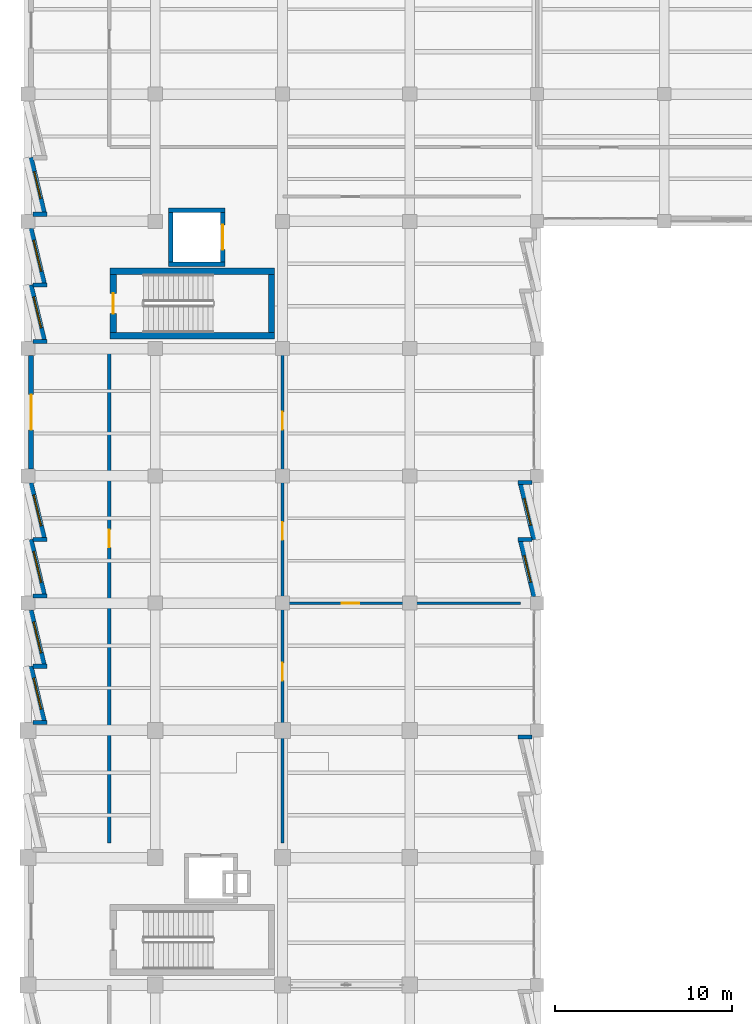
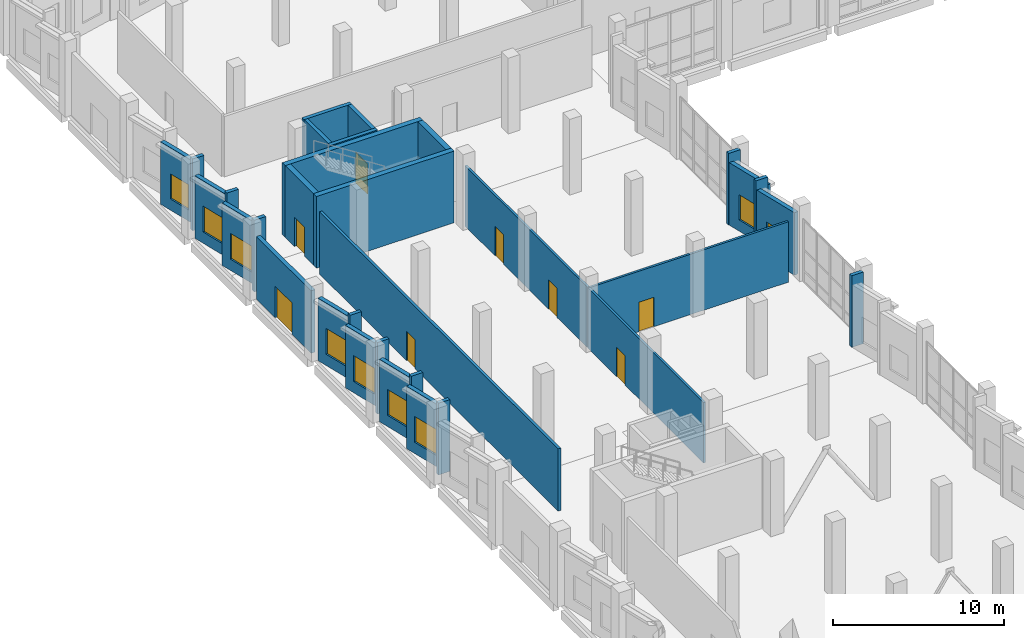
# One storey, part 107 of 137: 32 walls, 9 windows, 8 doors, 17 openings.
"""IFC4 building model written with IfcOpenShell, lengths in metres."""

from ifc_helpers import new_model, si_unit, direction, frame, frame_2d, origin, place, context, subcontext, project, spatial, rectangle, extrude, material, layer, layer_set, type_object, element, fill, save


model = new_model("IFC4")

# Units and contexts
model_context = context("Model", 3, precision=1e-05, world=origin(), true_north=direction((0.0, 1.0)))
body_context = subcontext(model_context, "Body", "Model", "MODEL_VIEW")
ifc_project = project(units=[si_unit("LENGTHUNIT", "METRE"), si_unit("AREAUNIT", "SQUARE_METRE"), si_unit("VOLUMEUNIT", "CUBIC_METRE"), si_unit("PLANEANGLEUNIT", "RADIAN"), si_unit("MASSUNIT", "GRAM", prefix="KILO")], contexts=[model_context])

# Site, building, storey
site_placement = place(None, origin())
site = spatial("IfcSite", under=ifc_project, at=site_placement, CompositionType="ELEMENT")
building_placement = place(site_placement, origin())
building = spatial("IfcBuilding", under=site, at=building_placement, Name="Kalmorath City Hall", CompositionType="ELEMENT")
storey_placement = place(building_placement, origin())
storey = spatial("IfcBuildingStorey", under=building, at=storey_placement, Name="L00", CompositionType="ELEMENT", Elevation=0.0)

# Walls
ifc_material_1 = material(Name="Concrete C50/60", Category="concrete")
ifc_layer_1 = layer(ifc_material_1, 0.35009765625)
ifc_layer_set_1 = layer_set([ifc_layer_1], Name="Concrete C50/60")
wall_type_1 = type_object("IfcWallType", Name="Concrete core shear wall 350", PredefinedType="SHEAR", material=ifc_layer_set_1)
for number, where, z_axis, x_axis, name in (
    (1, (4.64990234375, 87.125, 0.0), (0.0, 0.0, 1.0), (1.0, 0.0, 0.0), "L00 C4 stair core shear wall S"),
    (2, (13.949951171875, 90.77490234375, 0.0), (0.0, 0.0, 1.0), (-1.0, 0.0, 0.0), "L00 C4 stair core shear wall N"),
):
    element("IfcWall", number, at=place(storey_placement, frame(where, z_axis=z_axis, x_axis=x_axis)), inside=storey, type_object=wall_type_1, Name=name, PredefinedType="SHEAR", context=body_context, shape_type="SweptSolid", body=[
        extrude(rectangle(XDim=9.300048828125, YDim=0.35009765625, at=frame_2d((4.64990234375, 0.0))), origin(), (0.0, 0.0, 1.0), 5.1201171875),
    ])

# Wall, opening, door
wall_1_placement = place(storey_placement, frame((4.824951171875, 90.60009765625, 0.0), z_axis=(0.0, 0.0, 1.0), x_axis=(0.0, -1.0, 0.0)))
wall_1 = element("IfcWall", 3, at=wall_1_placement, inside=storey, type_object=wall_type_1, Name="L00 C4 stair core shear wall W", PredefinedType="SHEAR", context=body_context, shape_type="SweptSolid", body=[
    extrude(rectangle(XDim=3.300048828125, YDim=0.35009765625, at=frame_2d((1.64990234375, 0.0))), origin(), (0.0, 0.0, 1.0), 5.1201171875),
])
opening_1_placement = place(wall_1_placement, frame((1.074951171875, 0.0, 0.0)))
opening_1 = element("IfcOpeningElement", 4, at=opening_1_placement, cuts=wall_1, Name="Opening D-L00-080", PredefinedType="OPENING", context=body_context, shape_type="SweptSolid", body=[
    extrude(rectangle(XDim=1.14990234375, YDim=2.10009765625, at=frame_2d((0.574951171875, 1.050048828125))), frame((0.0, 0.18505859375, 0.0), z_axis=(0.0, -1.0, 0.0), x_axis=(1.0, 0.0, 0.0)), (0.0, 0.0, 1.0), 0.3701171875),
])
ifc_material_2 = material(Name="Galvanised steel fire door", Category="steel")
door_type_1 = type_object("IfcDoorType", Name="Stair enclosure 90-min fire door 1150x2100", OperationType="NOTDEFINED", PredefinedType="DOOR", material=ifc_material_2)
door_1_placement = place(opening_1_placement, frame((1.14990234375, 0.0, 0.0), z_axis=(0.0, 0.0, 1.0), x_axis=(-1.0, 0.0, 0.0)))
door_1 = element("IfcDoor", 5, at=door_1_placement, inside=storey, type_object=door_type_1, Name="L00 door D-L00-080", OperationType="SINGLE_SWING_RIGHT", OverallHeight=2.10009765625, OverallWidth=1.14990234375, PredefinedType="DOOR", context=body_context, shape_type="SweptSolid", body=[
    extrude(rectangle(XDim=1.14990234375, YDim=2.10009765625, at=frame_2d((0.574951171875, 1.050048828125))), frame((0.0, 0.02490234375, 0.0), z_axis=(0.0, -1.0, 0.0), x_axis=(1.0, 0.0, 0.0)), (0.0, 0.0, 1.0), 0.050048828125),
])
fill(opening_1, door_1)

# Walls
wall_2_placement = place(storey_placement, frame((13.77490234375, 87.300048828125, 0.0), z_axis=(0.0, 0.0, 1.0), x_axis=(0.0, 1.0, 0.0)))
element("IfcWall", 6, at=wall_2_placement, inside=storey, type_object=wall_type_1, Name="L00 C4 stair core shear wall E", PredefinedType="SHEAR", context=body_context, shape_type="SweptSolid", body=[
    extrude(rectangle(XDim=3.300048828125, YDim=0.35009765625, at=frame_2d((1.64990234375, 0.0))), origin(), (0.0, 0.0, 1.0), 5.1201171875),
])
ifc_material_3 = material(Name="Concrete C50/60", Category="concrete")
ifc_layer_2 = layer(ifc_material_3, 0.25)
ifc_layer_set_2 = layer_set([ifc_layer_2], Name="Concrete C50/60")
wall_type_2 = type_object("IfcWallType", Name="Concrete lift shaft wall 250", PredefinedType="SHEAR", material=ifc_layer_set_2)
for number, where, z_axis, x_axis, name in (
    (7, (7.949951171875, 91.175048828125, 0.0), (0.0, 0.0, 1.0), (1.0, 0.0, 0.0), "L00 SL1 lift shaft wall -y"),
    (8, (11.14990234375, 94.22509765625, 0.0), (0.0, 0.0, 1.0), (-1.0, 0.0, 0.0), "L00 SL1 lift shaft wall +y"),
):
    element("IfcWall", number, at=place(storey_placement, frame(where, z_axis=z_axis, x_axis=x_axis)), inside=storey, type_object=wall_type_2, Name=name, PredefinedType="SHEAR", context=body_context, shape_type="SweptSolid", body=[
        extrude(rectangle(XDim=3.199951171875, YDim=0.25, at=frame_2d((1.60009765625, 0.0))), origin(), (0.0, 0.0, 1.0), 5.1201171875),
    ])
wall_3_placement = place(storey_placement, frame((8.074951171875, 94.10009765625, 0.0), z_axis=(0.0, 0.0, 1.0), x_axis=(0.0, -1.0, 0.0)))
element("IfcWall", 9, at=wall_3_placement, inside=storey, type_object=wall_type_2, Name="L00 SL1 lift shaft wall -x", PredefinedType="SHEAR", context=body_context, shape_type="SweptSolid", body=[
    extrude(rectangle(XDim=2.800048828125, YDim=0.25, at=frame_2d((1.39990234375, 0.0))), origin(), (0.0, 0.0, 1.0), 5.1201171875),
])

# Wall, opening, door
wall_4_placement = place(storey_placement, frame((11.02490234375, 91.300048828125, 0.0), z_axis=(0.0, 0.0, 1.0), x_axis=(0.0, 1.0, 0.0)))
wall_4 = element("IfcWall", 10, at=wall_4_placement, inside=storey, type_object=wall_type_2, Name="L00 SL1 lift shaft wall +x", PredefinedType="SHEAR", context=body_context, shape_type="SweptSolid", body=[
    extrude(rectangle(XDim=2.800048828125, YDim=0.25, at=frame_2d((1.39990234375, 0.0))), origin(), (0.0, 0.0, 1.0), 5.1201171875),
])
opening_2_placement = place(wall_4_placement, frame((0.699951171875, 0.0, 0.0)))
opening_2 = element("IfcOpeningElement", 11, at=opening_2_placement, cuts=wall_4, Name="Opening LD-086", PredefinedType="OPENING", context=body_context, shape_type="SweptSolid", body=[
    extrude(rectangle(XDim=1.39990234375, YDim=2.14990234375, at=frame_2d((0.699951171875, 1.074951171875))), frame((0.0, 0.135009765625, 0.0), z_axis=(0.0, -1.0, 0.0), x_axis=(1.0, 0.0, 0.0)), (0.0, 0.0, 1.0), 0.27001953125),
])
ifc_material_4 = material(Name="Stainless steel sliding landing door", Category="steel")
door_type_2 = type_object("IfcDoorType", Name="Goods lift sliding landing door 1400x2150", OperationType="SLIDING_TO_LEFT", PredefinedType="DOOR", material=ifc_material_4)
door_2_placement = place(opening_2_placement, origin())
door_2 = element("IfcDoor", 12, at=door_2_placement, inside=storey, type_object=door_type_2, Name="L00 door LD-086", OperationType="SLIDING_TO_LEFT", OverallHeight=2.14990234375, OverallWidth=1.39990234375, PredefinedType="DOOR", context=body_context, shape_type="SweptSolid", body=[
    extrude(rectangle(XDim=1.39990234375, YDim=2.14990234375, at=frame_2d((0.699951171875, 1.074951171875))), frame((0.0, 0.02490234375, 0.0), z_axis=(0.0, -1.0, 0.0), x_axis=(1.0, 0.0, 0.0)), (0.0, 0.0, 1.0), 0.050048828125),
])
fill(opening_2, door_2)

ifc_material_5 = material(Name="Acoustic metal-stud gypsum partition")
ifc_layer_3 = layer(ifc_material_5, 0.14990234375)
ifc_layer_set_3 = layer_set([ifc_layer_3], Name="Acoustic metal-stud gypsum partition")
wall_type_3 = type_object("IfcWallType", Name="Departmental suite partition 150", PredefinedType="PARTITIONING", material=ifc_layer_set_3)
wall_5_placement = place(storey_placement, frame((14.39990234375, 58.43994140625, 0.0), z_axis=(0.0, 0.0, 1.0), x_axis=(0.0, 1.0, 0.0)))
wall_5 = element("IfcWall", 13, at=wall_5_placement, inside=storey, type_object=wall_type_3, Name="L00 interior partition PW4 #55", PredefinedType="PARTITIONING", context=body_context, shape_type="SweptSolid", body=[
    extrude(rectangle(XDim=13.52001953125, YDim=0.14990234375, at=frame_2d((6.760009765625, 0.0))), origin(), (0.0, 0.0, 1.0), 4.31103515625),
])
opening_3_placement = place(wall_5_placement, frame((9.179931640625, 0.0, 0.0)))
opening_3 = element("IfcOpeningElement", 14, at=opening_3_placement, cuts=wall_5, Name="Opening D-L00-139", PredefinedType="OPENING", context=body_context, shape_type="SweptSolid", body=[
    extrude(rectangle(XDim=1.0, YDim=2.10009765625, at=frame_2d((0.5, 1.050048828125))), frame((0.0, 0.0849609375, 0.0), z_axis=(0.0, -1.0, 0.0), x_axis=(1.0, 0.0, 0.0)), (0.0, 0.0, 1.0), 0.169921875),
])
ifc_material_6 = material(Name="Hardwood fire door", Category="wood")
door_type_3 = type_object("IfcDoorType", Name="Corridor 60-min fire door 1000x2100", OperationType="NOTDEFINED", PredefinedType="DOOR", material=ifc_material_6)
door_3_placement = place(opening_3_placement, origin())
door_3 = element("IfcDoor", 15, at=door_3_placement, inside=storey, type_object=door_type_3, Name="L00 door D-L00-139", OperationType="SINGLE_SWING_LEFT", OverallHeight=2.10009765625, OverallWidth=1.0, PredefinedType="DOOR", context=body_context, shape_type="SweptSolid", body=[
    extrude(rectangle(XDim=1.0, YDim=2.10009765625, at=frame_2d((0.5, 1.050048828125))), frame((0.0, 0.02490234375, 0.0), z_axis=(0.0, -1.0, 0.0), x_axis=(1.0, 0.0, 0.0)), (0.0, 0.0, 1.0), 0.050048828125),
])
fill(opening_3, door_3)

wall_6_placement = place(storey_placement, frame((14.43994140625, 72.0, 0.0), z_axis=(0.0, 0.0, 1.0), x_axis=(1.0, 0.0, 0.0)))
wall_6 = element("IfcWall", 16, at=wall_6_placement, inside=storey, type_object=wall_type_3, Name="L00 interior partition PW4 #56", PredefinedType="PARTITIONING", context=body_context, shape_type="SweptSolid", body=[
    extrude(rectangle(XDim=13.420166015625, YDim=0.14990234375, at=frame_2d((6.7099609375, 0.0))), origin(), (0.0, 0.0, 1.0), 4.31103515625),
])
opening_4_placement = place(wall_6_placement, frame((3.31494140625, 0.0, 0.0)))
opening_4 = element("IfcOpeningElement", 17, at=opening_4_placement, cuts=wall_6, Name="Opening D-L00-140", PredefinedType="OPENING", context=body_context, shape_type="SweptSolid", body=[
    extrude(rectangle(XDim=1.0, YDim=2.10009765625, at=frame_2d((0.5, 1.050048828125))), frame((0.0, 0.0849609375, 0.0), z_axis=(0.0, -1.0, 0.0), x_axis=(1.0, 0.0, 0.0)), (0.0, 0.0, 1.0), 0.169921875),
])
door_4_placement = place(opening_4_placement, origin())
door_4 = element("IfcDoor", 18, at=door_4_placement, inside=storey, type_object=door_type_3, Name="L00 door D-L00-140", OperationType="SINGLE_SWING_RIGHT", OverallHeight=2.10009765625, OverallWidth=1.0, PredefinedType="DOOR", context=body_context, shape_type="SweptSolid", body=[
    extrude(rectangle(XDim=1.0, YDim=2.10009765625, at=frame_2d((0.5, 1.050048828125))), frame((0.0, 0.02490234375, 0.0), z_axis=(0.0, -1.0, 0.0), x_axis=(1.0, 0.0, 0.0)), (0.0, 0.0, 1.0), 0.050048828125),
])
fill(opening_4, door_4)

# Wall, openings, doors
wall_7_placement = place(storey_placement, frame((14.39990234375, 72.0400390625, 0.0), z_axis=(0.0, 0.0, 1.0), x_axis=(0.0, 1.0, 0.0)))
wall_7 = element("IfcWall", 19, at=wall_7_placement, inside=storey, type_object=wall_type_3, Name="L00 interior partition PW4 #57", PredefinedType="PARTITIONING", context=body_context, shape_type="SweptSolid", body=[
    extrude(rectangle(XDim=14.320068359375, YDim=0.14990234375, at=frame_2d((7.16015625, 0.0))), origin(), (0.0, 0.0, 1.0), 4.31103515625),
])
opening_5_placement = place(wall_7_placement, frame((3.5400390625, 0.0, 0.0)))
opening_5 = element("IfcOpeningElement", 20, at=opening_5_placement, cuts=wall_7, Name="Opening D-L00-142", PredefinedType="OPENING", context=body_context, shape_type="SweptSolid", body=[
    extrude(rectangle(XDim=1.0, YDim=2.10009765625, at=frame_2d((0.5, 1.050048828125))), frame((0.0, 0.0849609375, 0.0), z_axis=(0.0, -1.0, 0.0), x_axis=(1.0, 0.0, 0.0)), (0.0, 0.0, 1.0), 0.169921875),
])
opening_6_placement = place(wall_7_placement, frame((9.780029296875, 0.0, 0.0)))
opening_6 = element("IfcOpeningElement", 21, at=opening_6_placement, cuts=wall_7, Name="Opening D-L00-144", PredefinedType="OPENING", context=body_context, shape_type="SweptSolid", body=[
    extrude(rectangle(XDim=1.0, YDim=2.10009765625, at=frame_2d((0.5, 1.050048828125))), frame((0.0, 0.0849609375, 0.0), z_axis=(0.0, -1.0, 0.0), x_axis=(1.0, 0.0, 0.0)), (0.0, 0.0, 1.0), 0.169921875),
])
door_5_placement = place(opening_5_placement, origin())
door_5 = element("IfcDoor", 22, at=door_5_placement, inside=storey, type_object=door_type_3, Name="L00 door D-L00-142", OperationType="SINGLE_SWING_RIGHT", OverallHeight=2.10009765625, OverallWidth=1.0, PredefinedType="DOOR", context=body_context, shape_type="SweptSolid", body=[
    extrude(rectangle(XDim=1.0, YDim=2.10009765625, at=frame_2d((0.5, 1.050048828125))), frame((0.0, 0.02490234375, 0.0), z_axis=(0.0, -1.0, 0.0), x_axis=(1.0, 0.0, 0.0)), (0.0, 0.0, 1.0), 0.050048828125),
])
fill(opening_5, door_5)
door_6_placement = place(opening_6_placement, origin())
door_6 = element("IfcDoor", 23, at=door_6_placement, inside=storey, type_object=door_type_3, Name="L00 door D-L00-144", OperationType="SINGLE_SWING_RIGHT", OverallHeight=2.10009765625, OverallWidth=1.0, PredefinedType="DOOR", context=body_context, shape_type="SweptSolid", body=[
    extrude(rectangle(XDim=1.0, YDim=2.10009765625, at=frame_2d((0.5, 1.050048828125))), frame((0.0, 0.02490234375, 0.0), z_axis=(0.0, -1.0, 0.0), x_axis=(1.0, 0.0, 0.0)), (0.0, 0.0, 1.0), 0.050048828125),
])
fill(opening_6, door_6)

# Wall, opening, door
ifc_material_7 = material(Name="Fire-rated acoustic gypsum partition")
ifc_layer_4 = layer(ifc_material_7, 0.179931640625)
ifc_layer_set_4 = layer_set([ifc_layer_4], Name="Fire-rated acoustic gypsum partition")
wall_type_4 = type_object("IfcWallType", Name="One-hour corridor fire partition 180", PredefinedType="PARTITIONING", material=ifc_layer_set_4)
wall_8_placement = place(storey_placement, frame((4.60009765625, 58.43994140625, 0.0), z_axis=(0.0, 0.0, 1.0), x_axis=(0.0, 1.0, 0.0)))
wall_8 = element("IfcWall", 24, at=wall_8_placement, inside=storey, type_object=wall_type_4, Name="L00 interior partition PW2 #21", PredefinedType="PARTITIONING", context=body_context, shape_type="SweptSolid", body=[
    extrude(rectangle(XDim=27.920166015625, YDim=0.179931640625, at=frame_2d((13.9599609375, 0.0))), origin(), (0.0, 0.0, 1.0), 4.449951171875),
])
opening_7_placement = place(wall_8_placement, frame((16.719970703125, 0.0, 0.0)))
opening_7 = element("IfcOpeningElement", 25, at=opening_7_placement, cuts=wall_8, Name="Opening D-L00-141", PredefinedType="OPENING", context=body_context, shape_type="SweptSolid", body=[
    extrude(rectangle(XDim=1.0, YDim=2.10009765625, at=frame_2d((0.5, 1.050048828125))), frame((0.0, 0.099853515625, 0.0), z_axis=(0.0, -1.0, 0.0), x_axis=(1.0, 0.0, 0.0)), (0.0, 0.0, 1.0), 0.199951171875),
])
door_7_placement = place(opening_7_placement, origin())
door_7 = element("IfcDoor", 26, at=door_7_placement, inside=storey, type_object=door_type_3, Name="L00 door D-L00-141", OperationType="SINGLE_SWING_LEFT", OverallHeight=2.10009765625, OverallWidth=1.0, PredefinedType="DOOR", context=body_context, shape_type="SweptSolid", body=[
    extrude(rectangle(XDim=1.0, YDim=2.10009765625, at=frame_2d((0.5, 1.050048828125))), frame((0.0, 0.02490234375, 0.0), z_axis=(0.0, -1.0, 0.0), x_axis=(1.0, 0.0, 0.0)), (0.0, 0.0, 1.0), 0.050048828125),
])
fill(opening_7, door_7)

# Walls
ifc_material_8 = material(Name="Precast concrete C40/50", Category="concrete")
ifc_layer_5 = layer(ifc_material_8, 0.239990234375)
ifc_layer_set_5 = layer_set([ifc_layer_5], Name="Precast concrete C40/50")
wall_type_5 = type_object("IfcWallType", Name="Precast sawtooth cheek wall 240", PredefinedType="SOLIDWALL", material=ifc_layer_set_5)
for number, where, z_axis, x_axis, name in (
    (27, (1.06689453125, 65.2509765625, 0.0), (0.0, 0.0, 1.0), (-1.0, 0.0, 0.0), "L00 sawtooth return cheek #35"),
    (28, (1.06689453125, 68.425048828125, 0.0), (0.0, 0.0, 1.0), (-1.0, 0.0, 0.0), "L00 sawtooth return cheek #37"),
):
    element("IfcWall", number, at=place(storey_placement, frame(where, z_axis=z_axis, x_axis=x_axis)), inside=storey, type_object=wall_type_5, Name=name, PredefinedType="SOLIDWALL", context=body_context, shape_type="SweptSolid", body=[
        extrude(rectangle(XDim=0.77490234375, YDim=0.239990234375, at=frame_2d((0.387451171875, 0.0))), origin(), (0.0, 0.0, 1.0), 5.1201171875),
    ])
for number, where, z_axis, x_axis, name in (
    (29, (1.072998046875, 72.40087890625, 0.0), (0.0, 0.0, 1.0), (-1.0, 0.0, 0.0), "L00 sawtooth return cheek #39"),
    (30, (1.072998046875, 75.60009765625, 0.0), (0.0, 0.0, 1.0), (-1.0, 0.0, 0.0), "L00 sawtooth return cheek #41"),
    (31, (1.072998046875, 86.801025390625, 0.0), (0.0, 0.0, 1.0), (-1.0, 0.0, 0.0), "L00 sawtooth return cheek #44"),
    (32, (1.072998046875, 90.0, 0.0), (0.0, 0.0, 1.0), (-1.0, 0.0, 0.0), "L00 sawtooth return cheek #46"),
    (33, (1.072998046875, 94.0009765625, 0.0), (0.0, 0.0, 1.0), (-1.0, 0.0, 0.0), "L00 sawtooth return cheek #48"),
):
    element("IfcWall", number, at=place(storey_placement, frame(where, z_axis=z_axis, x_axis=x_axis)), inside=storey, type_object=wall_type_5, Name=name, PredefinedType="SOLIDWALL", context=body_context, shape_type="SweptSolid", body=[
        extrude(rectangle(XDim=0.781005859375, YDim=0.239990234375, at=frame_2d((0.390625, 0.0))), origin(), (0.0, 0.0, 1.0), 5.1201171875),
    ])
for number, where, z_axis, x_axis, name in (
    (34, (27.720947265625, 78.823974609375, 0.0), (0.0, 0.0, 1.0), (1.0, 0.0, 0.0), "L00 sawtooth return cheek #148"),
    (35, (27.720947265625, 75.60009765625, 0.0), (0.0, 0.0, 1.0), (1.0, 0.0, 0.0), "L00 sawtooth return cheek #150"),
    (36, (27.720947265625, 64.424072265625, 0.0), (0.0, 0.0, 1.0), (1.0, 0.0, 0.0), "L00 sawtooth return cheek #152"),
):
    element("IfcWall", number, at=place(storey_placement, frame(where, z_axis=z_axis, x_axis=x_axis)), inside=storey, type_object=wall_type_5, Name=name, PredefinedType="SOLIDWALL", context=body_context, shape_type="SweptSolid", body=[
        extrude(rectangle(XDim=0.787109375, YDim=0.239990234375, at=frame_2d((0.3935546875, 0.0))), origin(), (0.0, 0.0, 1.0), 5.1201171875),
    ])

# Wall, opening, window
ifc_material_9 = material(Name="Precast concrete C40/50", Category="concrete")
ifc_layer_6 = layer(ifc_material_9, 0.280029296875)
ifc_layer_set_6 = layer_set([ifc_layer_6], Name="Precast concrete C40/50")
wall_type_6 = type_object("IfcWallType", Name="Precast sawtooth facade wall 280", PredefinedType="SOLIDWALL", material=ifc_layer_set_6)
wall_9_placement = place(storey_placement, frame((0.89990234375, 65.343505859375, 0.0), z_axis=(0.0, 0.0, 1.0), x_axis=(-0.233498237153, 0.972357225122, 0.0)))
wall_9 = element("IfcWall", 37, at=wall_9_placement, inside=storey, type_object=wall_type_6, Name="L00 sawtooth precast frame #34", PredefinedType="SOLIDWALL", context=body_context, shape_type="SweptSolid", body=[
    extrude(rectangle(XDim=3.169189453125, YDim=0.280029296875, at=frame_2d((1.58447265625, 0.0))), origin(), (0.0, 0.0, 1.0), 4.4609375),
])
opening_8_placement = place(wall_9_placement, frame((0.6845703125, 0.0, 0.800048828125)))
opening_8 = element("IfcOpeningElement", 38, at=opening_8_placement, cuts=wall_9, Name="Opening WN4", PredefinedType="OPENING", context=body_context, shape_type="SweptSolid", body=[
    extrude(rectangle(XDim=1.800048828125, YDim=1.85009765625, at=frame_2d((0.89990234375, 0.925048828125))), frame((0.0, 0.14990234375, 0.0), z_axis=(0.0, -1.0, 0.0), x_axis=(1.0, 0.0, 0.0)), (0.0, 0.0, 1.0), 0.300048828125),
])
ifc_material_10 = material(Name="Aluminium and laminated glass", Category="aluminium")
window_type_1 = type_object("IfcWindowType", Name="Sawtooth executive window 1800x1850", PartitioningType="SINGLE_PANEL", PredefinedType="WINDOW", material=ifc_material_10)
window_1_placement = place(opening_8_placement, origin())
window_1 = element("IfcWindow", 39, at=window_1_placement, inside=storey, type_object=window_type_1, Name="L00 window WN4-15", OverallHeight=1.85009765625, OverallWidth=1.800048828125, PartitioningType="SINGLE_PANEL", PredefinedType="WINDOW", context=body_context, shape_type="SweptSolid", body=[
    extrude(rectangle(XDim=1.800048828125, YDim=1.85009765625, at=frame_2d((0.89990234375, 0.925048828125))), frame((0.0, 0.030029296875, 0.0), z_axis=(0.0, -1.0, 0.0), x_axis=(1.0, 0.0, 0.0)), (0.0, 0.0, 1.0), 0.06005859375),
])
fill(opening_8, window_1)

wall_10_placement = place(storey_placement, frame((0.89990234375, 68.517333984375, 0.0), z_axis=(0.0, 0.0, 1.0), x_axis=(-0.233480747728, 0.972361424801, 0.0)))
wall_10 = element("IfcWall", 40, at=wall_10_placement, inside=storey, type_object=wall_type_6, Name="L00 sawtooth precast frame #36", PredefinedType="SOLIDWALL", context=body_context, shape_type="SweptSolid", body=[
    extrude(rectangle(XDim=3.16943359375, YDim=0.280029296875, at=frame_2d((1.584716796875, 0.0))), origin(), (0.0, 0.0, 1.0), 4.4609375),
])
opening_9_placement = place(wall_10_placement, frame((0.6845703125, 0.0, 0.800048828125)))
opening_9 = element("IfcOpeningElement", 41, at=opening_9_placement, cuts=wall_10, Name="Opening WN4", PredefinedType="OPENING", context=body_context, shape_type="SweptSolid", body=[
    extrude(rectangle(XDim=1.800048828125, YDim=1.85009765625, at=frame_2d((0.89990234375, 0.925048828125))), frame((0.0, 0.14990234375, 0.0), z_axis=(0.0, -1.0, 0.0), x_axis=(1.0, 0.0, 0.0)), (0.0, 0.0, 1.0), 0.300048828125),
])
window_2_placement = place(opening_9_placement, origin())
window_2 = element("IfcWindow", 42, at=window_2_placement, inside=storey, type_object=window_type_1, Name="L00 window WN4-16", OverallHeight=1.85009765625, OverallWidth=1.800048828125, PartitioningType="SINGLE_PANEL", PredefinedType="WINDOW", context=body_context, shape_type="SweptSolid", body=[
    extrude(rectangle(XDim=1.800048828125, YDim=1.85009765625, at=frame_2d((0.89990234375, 0.925048828125))), frame((0.0, 0.030029296875, 0.0), z_axis=(0.0, -1.0, 0.0), x_axis=(1.0, 0.0, 0.0)), (0.0, 0.0, 1.0), 0.06005859375),
])
fill(opening_9, window_2)

wall_11_placement = place(storey_placement, frame((0.90576171875, 72.493408203125, 0.0), z_axis=(0.0, 0.0, 1.0), x_axis=(-0.233445204235, 0.972369958719, 0.0)))
wall_11 = element("IfcWall", 43, at=wall_11_placement, inside=storey, type_object=wall_type_6, Name="L00 sawtooth precast frame #38", PredefinedType="SOLIDWALL", context=body_context, shape_type="SweptSolid", body=[
    extrude(rectangle(XDim=3.195068359375, YDim=0.280029296875, at=frame_2d((1.59765625, 0.0))), origin(), (0.0, 0.0, 1.0), 4.4609375),
])
opening_10_placement = place(wall_11_placement, frame((0.697509765625, 0.0, 0.800048828125)))
opening_10 = element("IfcOpeningElement", 44, at=opening_10_placement, cuts=wall_11, Name="Opening WN4", PredefinedType="OPENING", context=body_context, shape_type="SweptSolid", body=[
    extrude(rectangle(XDim=1.800048828125, YDim=1.85009765625, at=frame_2d((0.89990234375, 0.925048828125))), frame((0.0, 0.14990234375, 0.0), z_axis=(0.0, -1.0, 0.0), x_axis=(1.0, 0.0, 0.0)), (0.0, 0.0, 1.0), 0.300048828125),
])
window_3_placement = place(opening_10_placement, origin())
window_3 = element("IfcWindow", 45, at=window_3_placement, inside=storey, type_object=window_type_1, Name="L00 window WN4-17", OverallHeight=1.85009765625, OverallWidth=1.800048828125, PartitioningType="SINGLE_PANEL", PredefinedType="WINDOW", context=body_context, shape_type="SweptSolid", body=[
    extrude(rectangle(XDim=1.800048828125, YDim=1.85009765625, at=frame_2d((0.89990234375, 0.925048828125))), frame((0.0, 0.030029296875, 0.0), z_axis=(0.0, -1.0, 0.0), x_axis=(1.0, 0.0, 0.0)), (0.0, 0.0, 1.0), 0.06005859375),
])
fill(opening_10, window_3)

wall_12_placement = place(storey_placement, frame((0.90576171875, 75.6923828125, 0.0), z_axis=(0.0, 0.0, 1.0), x_axis=(-0.233445204235, 0.972369958719, 0.0)))
wall_12 = element("IfcWall", 46, at=wall_12_placement, inside=storey, type_object=wall_type_6, Name="L00 sawtooth precast frame #40", PredefinedType="SOLIDWALL", context=body_context, shape_type="SweptSolid", body=[
    extrude(rectangle(XDim=3.195068359375, YDim=0.280029296875, at=frame_2d((1.59765625, 0.0))), origin(), (0.0, 0.0, 1.0), 4.4609375),
])
opening_11_placement = place(wall_12_placement, frame((0.697509765625, 0.0, 0.800048828125)))
opening_11 = element("IfcOpeningElement", 47, at=opening_11_placement, cuts=wall_12, Name="Opening WN4", PredefinedType="OPENING", context=body_context, shape_type="SweptSolid", body=[
    extrude(rectangle(XDim=1.800048828125, YDim=1.85009765625, at=frame_2d((0.89990234375, 0.925048828125))), frame((0.0, 0.14990234375, 0.0), z_axis=(0.0, -1.0, 0.0), x_axis=(1.0, 0.0, 0.0)), (0.0, 0.0, 1.0), 0.300048828125),
])
window_4_placement = place(opening_11_placement, origin())
window_4 = element("IfcWindow", 48, at=window_4_placement, inside=storey, type_object=window_type_1, Name="L00 window WN4-18", OverallHeight=1.85009765625, OverallWidth=1.800048828125, PartitioningType="SINGLE_PANEL", PredefinedType="WINDOW", context=body_context, shape_type="SweptSolid", body=[
    extrude(rectangle(XDim=1.800048828125, YDim=1.85009765625, at=frame_2d((0.89990234375, 0.925048828125))), frame((0.0, 0.030029296875, 0.0), z_axis=(0.0, -1.0, 0.0), x_axis=(1.0, 0.0, 0.0)), (0.0, 0.0, 1.0), 0.06005859375),
])
fill(opening_11, window_4)

# Wall, opening, door
wall_13_placement = place(storey_placement, frame((0.179931640625, 79.60107421875, 0.0), z_axis=(0.0, 0.0, 1.0), x_axis=(0.0, 1.0, 0.0)))
wall_13 = element("IfcWall", 49, at=wall_13_placement, inside=storey, type_object=wall_type_6, Name="L00 entrance portal wall #42", PredefinedType="SOLIDWALL", context=body_context, shape_type="SweptSolid", body=[
    extrude(rectangle(XDim=6.39794921875, YDim=0.280029296875, at=frame_2d((3.198974609375, 0.0))), origin(), (0.0, 0.0, 1.0), 4.4609375),
])
opening_12_placement = place(wall_13_placement, frame((2.198974609375, 0.0, 0.0)))
opening_12 = element("IfcOpeningElement", 50, at=opening_12_placement, cuts=wall_13, Name="Opening D-E003", PredefinedType="OPENING", context=body_context, shape_type="SweptSolid", body=[
    extrude(rectangle(XDim=2.0, YDim=2.25, at=frame_2d((1.0, 1.125))), frame((0.0, 0.14990234375, 0.0), z_axis=(0.0, -1.0, 0.0), x_axis=(1.0, 0.0, 0.0)), (0.0, 0.0, 1.0), 0.300048828125),
])
ifc_material_11 = material(Name="Galvanised steel and impact glass", Category="steel")
door_type_4 = type_object("IfcDoorType", Name="Hurricane exit discharge double door 2000x2250", OperationType="DOUBLE_DOOR_SINGLE_SWING", PredefinedType="DOOR", material=ifc_material_11)
door_8_placement = place(opening_12_placement, origin())
door_8 = element("IfcDoor", 51, at=door_8_placement, inside=storey, type_object=door_type_4, Name="L00 exterior door D-E003", OperationType="DOUBLE_DOOR_SINGLE_SWING", OverallHeight=2.25, OverallWidth=2.0, PredefinedType="DOOR", context=body_context, shape_type="SweptSolid", body=[
    extrude(rectangle(XDim=2.0, YDim=2.25, at=frame_2d((1.0, 1.125))), frame((0.0, 0.02490234375, 0.0), z_axis=(0.0, -1.0, 0.0), x_axis=(1.0, 0.0, 0.0)), (0.0, 0.0, 1.0), 0.050048828125),
])
fill(opening_12, door_8)

# Wall, opening, window
wall_14_placement = place(storey_placement, frame((0.90576171875, 86.893310546875, 0.0), z_axis=(0.0, 0.0, 1.0), x_axis=(-0.233445204235, 0.972369958719, 0.0)))
wall_14 = element("IfcWall", 52, at=wall_14_placement, inside=storey, type_object=wall_type_6, Name="L00 sawtooth precast frame #43", PredefinedType="SOLIDWALL", context=body_context, shape_type="SweptSolid", body=[
    extrude(rectangle(XDim=3.195068359375, YDim=0.280029296875, at=frame_2d((1.59765625, 0.0))), origin(), (0.0, 0.0, 1.0), 4.4609375),
])
opening_13_placement = place(wall_14_placement, frame((0.697509765625, 0.0, 0.800048828125)))
opening_13 = element("IfcOpeningElement", 53, at=opening_13_placement, cuts=wall_14, Name="Opening WN4", PredefinedType="OPENING", context=body_context, shape_type="SweptSolid", body=[
    extrude(rectangle(XDim=1.800048828125, YDim=1.85009765625, at=frame_2d((0.89990234375, 0.925048828125))), frame((0.0, 0.14990234375, 0.0), z_axis=(0.0, -1.0, 0.0), x_axis=(1.0, 0.0, 0.0)), (0.0, 0.0, 1.0), 0.300048828125),
])
window_5_placement = place(opening_13_placement, origin())
window_5 = element("IfcWindow", 54, at=window_5_placement, inside=storey, type_object=window_type_1, Name="L00 window WN4-19", OverallHeight=1.85009765625, OverallWidth=1.800048828125, PartitioningType="SINGLE_PANEL", PredefinedType="WINDOW", context=body_context, shape_type="SweptSolid", body=[
    extrude(rectangle(XDim=1.800048828125, YDim=1.85009765625, at=frame_2d((0.89990234375, 0.925048828125))), frame((0.0, 0.030029296875, 0.0), z_axis=(0.0, -1.0, 0.0), x_axis=(1.0, 0.0, 0.0)), (0.0, 0.0, 1.0), 0.06005859375),
])
fill(opening_13, window_5)

wall_15_placement = place(storey_placement, frame((0.90576171875, 90.09228515625, 0.0), z_axis=(0.0, 0.0, 1.0), x_axis=(-0.233445204235, 0.972369958719, 0.0)))
wall_15 = element("IfcWall", 55, at=wall_15_placement, inside=storey, type_object=wall_type_6, Name="L00 sawtooth precast frame #45", PredefinedType="SOLIDWALL", context=body_context, shape_type="SweptSolid", body=[
    extrude(rectangle(XDim=3.195068359375, YDim=0.280029296875, at=frame_2d((1.59765625, 0.0))), origin(), (0.0, 0.0, 1.0), 4.4609375),
])
opening_14_placement = place(wall_15_placement, frame((0.697509765625, 0.0, 0.800048828125)))
opening_14 = element("IfcOpeningElement", 56, at=opening_14_placement, cuts=wall_15, Name="Opening WN4", PredefinedType="OPENING", context=body_context, shape_type="SweptSolid", body=[
    extrude(rectangle(XDim=1.800048828125, YDim=1.85009765625, at=frame_2d((0.89990234375, 0.925048828125))), frame((0.0, 0.14990234375, 0.0), z_axis=(0.0, -1.0, 0.0), x_axis=(1.0, 0.0, 0.0)), (0.0, 0.0, 1.0), 0.300048828125),
])
window_6_placement = place(opening_14_placement, origin())
window_6 = element("IfcWindow", 57, at=window_6_placement, inside=storey, type_object=window_type_1, Name="L00 window WN4-20", OverallHeight=1.85009765625, OverallWidth=1.800048828125, PartitioningType="SINGLE_PANEL", PredefinedType="WINDOW", context=body_context, shape_type="SweptSolid", body=[
    extrude(rectangle(XDim=1.800048828125, YDim=1.85009765625, at=frame_2d((0.89990234375, 0.925048828125))), frame((0.0, 0.030029296875, 0.0), z_axis=(0.0, -1.0, 0.0), x_axis=(1.0, 0.0, 0.0)), (0.0, 0.0, 1.0), 0.06005859375),
])
fill(opening_14, window_6)

wall_16_placement = place(storey_placement, frame((0.90576171875, 94.093505859375, 0.0), z_axis=(0.0, 0.0, 1.0), x_axis=(-0.233462551123, 0.972365793939, 0.0)))
wall_16 = element("IfcWall", 58, at=wall_16_placement, inside=storey, type_object=wall_type_6, Name="L00 sawtooth precast frame #47", PredefinedType="SOLIDWALL", context=body_context, shape_type="SweptSolid", body=[
    extrude(rectangle(XDim=3.19482421875, YDim=0.280029296875, at=frame_2d((1.597412109375, 0.0))), origin(), (0.0, 0.0, 1.0), 4.4609375),
])
opening_15_placement = place(wall_16_placement, frame((0.822509765625, 0.0, 0.800048828125)))
opening_15 = element("IfcOpeningElement", 59, at=opening_15_placement, cuts=wall_16, Name="Opening WN5", PredefinedType="OPENING", context=body_context, shape_type="SweptSolid", body=[
    extrude(rectangle(XDim=1.550048828125, YDim=1.800048828125, at=frame_2d((0.77490234375, 0.89990234375))), frame((0.0, 0.14990234375, 0.0), z_axis=(0.0, -1.0, 0.0), x_axis=(1.0, 0.0, 0.0)), (0.0, 0.0, 1.0), 0.300048828125),
])
ifc_material_12 = material(Name="Aluminium and laminated glass", Category="aluminium")
window_type_2 = type_object("IfcWindowType", Name="Sawtooth corner bay window 1550x1800", PartitioningType="SINGLE_PANEL", PredefinedType="WINDOW", material=ifc_material_12)
window_7_placement = place(opening_15_placement, origin())
window_7 = element("IfcWindow", 60, at=window_7_placement, inside=storey, type_object=window_type_2, Name="L00 window WN5-21", OverallHeight=1.800048828125, OverallWidth=1.550048828125, PartitioningType="SINGLE_PANEL", PredefinedType="WINDOW", context=body_context, shape_type="SweptSolid", body=[
    extrude(rectangle(XDim=1.550048828125, YDim=1.800048828125, at=frame_2d((0.77490234375, 0.89990234375))), frame((0.0, 0.030029296875, 0.0), z_axis=(0.0, -1.0, 0.0), x_axis=(1.0, 0.0, 0.0)), (0.0, 0.0, 1.0), 0.06005859375),
])
fill(opening_15, window_7)

wall_17_placement = place(storey_placement, frame((27.88818359375, 78.731689453125, 0.0), z_axis=(0.0, 0.0, 1.0), x_axis=(0.23341022511, -0.972378355793, 0.0)))
wall_17 = element("IfcWall", 61, at=wall_17_placement, inside=storey, type_object=wall_type_6, Name="L00 sawtooth precast frame #147", PredefinedType="SOLIDWALL", context=body_context, shape_type="SweptSolid", body=[
    extrude(rectangle(XDim=3.220458984375, YDim=0.280029296875, at=frame_2d((1.6103515625, 0.0))), origin(), (0.0, 0.0, 1.0), 4.4609375),
])
opening_16_placement = place(wall_17_placement, frame((0.835205078125, 0.0, 0.800048828125)))
opening_16 = element("IfcOpeningElement", 62, at=opening_16_placement, cuts=wall_17, Name="Opening WN5", PredefinedType="OPENING", context=body_context, shape_type="SweptSolid", body=[
    extrude(rectangle(XDim=1.550048828125, YDim=1.800048828125, at=frame_2d((0.77490234375, 0.89990234375))), frame((0.0, 0.14990234375, 0.0), z_axis=(0.0, -1.0, 0.0), x_axis=(1.0, 0.0, 0.0)), (0.0, 0.0, 1.0), 0.300048828125),
])
window_8_placement = place(opening_16_placement, origin())
window_8 = element("IfcWindow", 63, at=window_8_placement, inside=storey, type_object=window_type_2, Name="L00 window WN5-69", OverallHeight=1.800048828125, OverallWidth=1.550048828125, PartitioningType="SINGLE_PANEL", PredefinedType="WINDOW", context=body_context, shape_type="SweptSolid", body=[
    extrude(rectangle(XDim=1.550048828125, YDim=1.800048828125, at=frame_2d((0.77490234375, 0.89990234375))), frame((0.0, 0.030029296875, 0.0), z_axis=(0.0, -1.0, 0.0), x_axis=(1.0, 0.0, 0.0)), (0.0, 0.0, 1.0), 0.06005859375),
])
fill(opening_16, window_8)

wall_18_placement = place(storey_placement, frame((27.88818359375, 75.507568359375, 0.0), z_axis=(0.0, 0.0, 1.0), x_axis=(0.23341022511, -0.972378355793, 0.0)))
wall_18 = element("IfcWall", 64, at=wall_18_placement, inside=storey, type_object=wall_type_6, Name="L00 sawtooth precast frame #149", PredefinedType="SOLIDWALL", context=body_context, shape_type="SweptSolid", body=[
    extrude(rectangle(XDim=3.220458984375, YDim=0.280029296875, at=frame_2d((1.6103515625, 0.0))), origin(), (0.0, 0.0, 1.0), 4.4609375),
])
opening_17_placement = place(wall_18_placement, frame((0.835205078125, 0.0, 0.800048828125)))
opening_17 = element("IfcOpeningElement", 65, at=opening_17_placement, cuts=wall_18, Name="Opening WN5", PredefinedType="OPENING", context=body_context, shape_type="SweptSolid", body=[
    extrude(rectangle(XDim=1.550048828125, YDim=1.800048828125, at=frame_2d((0.77490234375, 0.89990234375))), frame((0.0, 0.14990234375, 0.0), z_axis=(0.0, -1.0, 0.0), x_axis=(1.0, 0.0, 0.0)), (0.0, 0.0, 1.0), 0.300048828125),
])
window_9_placement = place(opening_17_placement, origin())
window_9 = element("IfcWindow", 66, at=window_9_placement, inside=storey, type_object=window_type_2, Name="L00 window WN5-70", OverallHeight=1.800048828125, OverallWidth=1.550048828125, PartitioningType="SINGLE_PANEL", PredefinedType="WINDOW", context=body_context, shape_type="SweptSolid", body=[
    extrude(rectangle(XDim=1.550048828125, YDim=1.800048828125, at=frame_2d((0.77490234375, 0.89990234375))), frame((0.0, 0.030029296875, 0.0), z_axis=(0.0, -1.0, 0.0), x_axis=(1.0, 0.0, 0.0)), (0.0, 0.0, 1.0), 0.06005859375),
])
fill(opening_17, window_9)

save(model, "model.ifc")
